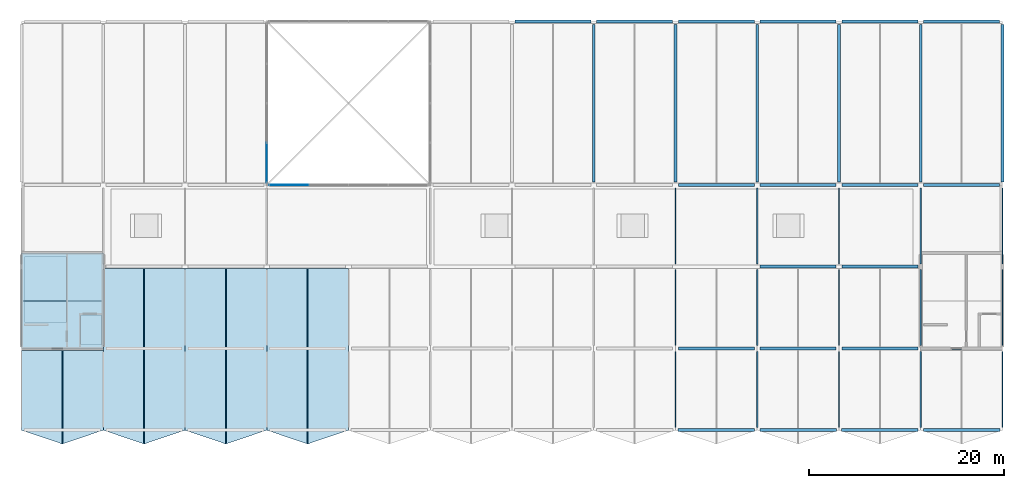
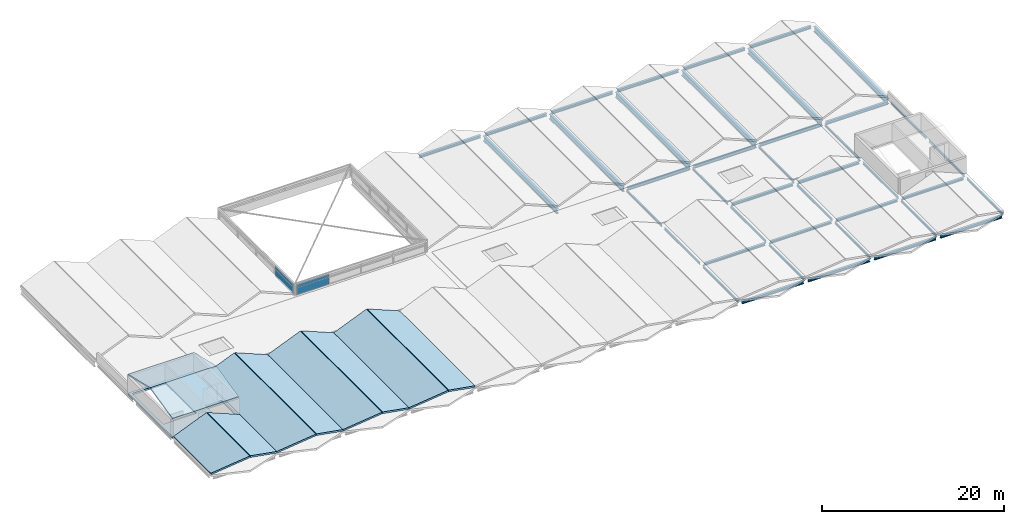
# One storey, part 9 of 14: 41 beams, 11 slabs, 4 plates, 2 elements without a shape of their own.
"""IFC4 building model written with IfcOpenShell, lengths in metres."""

from ifc_helpers import new_model, si_unit, direction, frame, frame_2d, origin, origin_2d, place, context, subcontext, project, spatial, polyline, rectangle, i_section, outline, extrude, material, layer, layer_set, material_profile, profile_set, type_object, element, aggregate, save


model = new_model("IFC4")

# Units and contexts
model_context = context("Model", 3, precision=1e-05, world=origin(), true_north=direction((0.0, 1.0)))
body_context = subcontext(model_context, "Body", "Model", "MODEL_VIEW")
ifc_project = project(units=[si_unit("LENGTHUNIT", "METRE"), si_unit("AREAUNIT", "SQUARE_METRE"), si_unit("VOLUMEUNIT", "CUBIC_METRE"), si_unit("PLANEANGLEUNIT", "RADIAN"), si_unit("MASSUNIT", "GRAM", prefix="KILO")], contexts=[model_context])

# Site, building, storey
site_placement = place(None, origin())
site = spatial("IfcSite", under=ifc_project, at=site_placement, CompositionType="ELEMENT")
building_placement = place(site_placement, origin())
building = spatial("IfcBuilding", under=site, at=building_placement, Name="Qawsi Khor Wholesale Market", CompositionType="ELEMENT")
storey_placement = place(building_placement, frame((0.0, 0.0, 20.699951171875)))
storey = spatial("IfcBuildingStorey", under=building, at=storey_placement, Name="RF", CompositionType="ELEMENT", Elevation=20.699951171875)

# Beams
ifc_material_1 = material(Name="Steel S355", Category="steel")
ifc_material_profile_1 = material_profile(ifc_material_1, i_section(OverallWidth=0.300048828125, OverallDepth=0.360107421875, WebThickness=0.012451171875, FlangeThickness=0.0224609375, FilletRadius=0.027099609375, at=origin_2d()), Name="HEB 360")
ifc_profile_set_1 = profile_set([ifc_material_profile_1], Name="Steel S355")
beam_type_1 = type_object("IfcBeamType", Name="Heavy Edge Girder HEB 360", PredefinedType="BEAM", material=ifc_profile_set_1)
for number, where, z_axis, x_axis, name in (
    (1, (75.89990234375, 42.0, -0.419921875), (1.0, 0.0, 0.0), (0.0, 1.0, 0.0), "BM-X-RF-09_+05"),
    (2, (84.300048828125, 42.0, -0.419921875), (1.0, 0.0, 0.0), (0.0, 1.0, 0.0), "BM-X-RF-10_+05"),
):
    element("IfcBeam", number, at=place(storey_placement, frame(where, z_axis=z_axis, x_axis=x_axis)), inside=storey, type_object=beam_type_1, Name=name, PredefinedType="BEAM", context=body_context, shape_type="SweptSolid", body=[
        extrude(i_section(OverallWidth=0.300048828125, OverallDepth=0.360107421875, WebThickness=0.012451171875, FlangeThickness=0.0224609375, FilletRadius=0.027099609375, at=origin_2d()), origin(), (0.0, 0.0, 1.0), 7.800048828125),
    ])
beam_1_placement = place(storey_placement, frame((92.675048828125, 0.0, -0.419921875), z_axis=(1.0, 0.0, 0.0), x_axis=(0.0, 1.0, 0.0)))
element("IfcBeam", 3, at=beam_1_placement, inside=storey, type_object=beam_type_1, Name="BM-X-RF-11_+00", PredefinedType="BEAM", context=body_context, shape_type="SweptSolid", body=[
    extrude(i_section(OverallWidth=0.300048828125, OverallDepth=0.360107421875, WebThickness=0.012451171875, FlangeThickness=0.0224609375, FilletRadius=0.027099609375, at=origin_2d()), origin(), (0.0, 0.0, 1.0), 7.849853515625),
])
beam_2_placement = place(storey_placement, frame((92.699951171875, 42.0, -0.419921875), z_axis=(1.0, 0.0, 0.0), x_axis=(0.0, 1.0, 0.0)))
element("IfcBeam", 4, at=beam_2_placement, inside=storey, type_object=beam_type_1, Name="BM-X-RF-11_+05", PredefinedType="BEAM", context=body_context, shape_type="SweptSolid", body=[
    extrude(i_section(OverallWidth=0.300048828125, OverallDepth=0.360107421875, WebThickness=0.012451171875, FlangeThickness=0.0224609375, FilletRadius=0.027099609375, at=origin_2d()), origin(), (0.0, 0.0, 1.0), 7.800048828125),
])
beam_3_placement = place(storey_placement, frame((101.074951171875, 0.0, -0.419921875), z_axis=(1.0, 0.0, 0.0), x_axis=(0.0, 1.0, 0.0)))
element("IfcBeam", 5, at=beam_3_placement, inside=storey, type_object=beam_type_1, Name="BM-X-RF-12_+00", PredefinedType="BEAM", context=body_context, shape_type="SweptSolid", body=[
    extrude(i_section(OverallWidth=0.300048828125, OverallDepth=0.360107421875, WebThickness=0.012451171875, FlangeThickness=0.0224609375, FilletRadius=0.027099609375, at=origin_2d()), origin(), (0.0, 0.0, 1.0), 7.85009765625),
])
beam_4_placement = place(storey_placement, frame((101.10009765625, 42.0, -0.419921875), z_axis=(1.0, 0.0, 0.0), x_axis=(0.0, 1.0, 0.0)))
element("IfcBeam", 6, at=beam_4_placement, inside=storey, type_object=beam_type_1, Name="BM-X-RF-12_+05", PredefinedType="BEAM", context=body_context, shape_type="SweptSolid", body=[
    extrude(i_section(OverallWidth=0.300048828125, OverallDepth=0.360107421875, WebThickness=0.012451171875, FlangeThickness=0.0224609375, FilletRadius=0.027099609375, at=origin_2d()), origin(), (0.0, 0.0, 1.0), 7.7998046875),
])
beam_5_placement = place(storey_placement, frame((109.47509765625, 0.0, -0.419921875), z_axis=(1.0, 0.0, 0.0), x_axis=(0.0, 1.0, 0.0)))
element("IfcBeam", 7, at=beam_5_placement, inside=storey, type_object=beam_type_1, Name="BM-X-RF-13_+00", PredefinedType="BEAM", context=body_context, shape_type="SweptSolid", body=[
    extrude(i_section(OverallWidth=0.300048828125, OverallDepth=0.360107421875, WebThickness=0.012451171875, FlangeThickness=0.0224609375, FilletRadius=0.027099609375, at=origin_2d()), origin(), (0.0, 0.0, 1.0), 7.849853515625),
])
beam_6_placement = place(storey_placement, frame((109.5, 42.0, -0.419921875), z_axis=(1.0, 0.0, 0.0), x_axis=(0.0, 1.0, 0.0)))
element("IfcBeam", 8, at=beam_6_placement, inside=storey, type_object=beam_type_1, Name="BM-X-RF-13_+05", PredefinedType="BEAM", context=body_context, shape_type="SweptSolid", body=[
    extrude(i_section(OverallWidth=0.300048828125, OverallDepth=0.360107421875, WebThickness=0.012451171875, FlangeThickness=0.0224609375, FilletRadius=0.027099609375, at=origin_2d()), origin(), (0.0, 0.0, 1.0), 7.800048828125),
])
beam_7_placement = place(storey_placement, frame((117.875, 0.0, -0.419921875), z_axis=(1.0, 0.0, 0.0), x_axis=(0.0, 1.0, 0.0)))
element("IfcBeam", 9, at=beam_7_placement, inside=storey, type_object=beam_type_1, Name="BM-X-RF-14_+00", PredefinedType="BEAM", context=body_context, shape_type="SweptSolid", body=[
    extrude(i_section(OverallWidth=0.300048828125, OverallDepth=0.360107421875, WebThickness=0.012451171875, FlangeThickness=0.0224609375, FilletRadius=0.027099609375, at=origin_2d()), origin(), (0.0, 0.0, 1.0), 7.85009765625),
])
beam_8_placement = place(storey_placement, frame((117.89990234375, 42.0, -0.419921875), z_axis=(1.0, 0.0, 0.0), x_axis=(0.0, 1.0, 0.0)))
element("IfcBeam", 10, at=beam_8_placement, inside=storey, type_object=beam_type_1, Name="BM-X-RF-14_+05", PredefinedType="BEAM", context=body_context, shape_type="SweptSolid", body=[
    extrude(i_section(OverallWidth=0.300048828125, OverallDepth=0.360107421875, WebThickness=0.012451171875, FlangeThickness=0.0224609375, FilletRadius=0.027099609375, at=origin_2d()), origin(), (0.0, 0.0, 1.0), 7.800048828125),
])
ifc_material_profile_2 = material_profile(ifc_material_1, i_section(OverallWidth=0.300048828125, OverallDepth=0.31005859375, WebThickness=0.009033203125, FlangeThickness=0.015380859375, FilletRadius=0.027099609375, at=origin_2d()), Name="HEA 320")
ifc_profile_set_2 = profile_set([ifc_material_profile_2], Name="Steel S355")
beam_type_2 = type_object("IfcBeamType", Name="Primary Girder HEA 320", PredefinedType="BEAM", material=ifc_profile_set_2)
beam_9_placement = place(storey_placement, frame((92.699951171875, 8.39990234375, -0.39501953125), z_axis=(1.0, 0.0, 0.0), x_axis=(0.0, 1.0, 0.0)))
element("IfcBeam", 11, at=beam_9_placement, inside=storey, type_object=beam_type_2, Name="BM-X-RF-11_+01", PredefinedType="BEAM", context=body_context, shape_type="SweptSolid", body=[
    extrude(i_section(OverallWidth=0.300048828125, OverallDepth=0.31005859375, WebThickness=0.009033203125, FlangeThickness=0.015380859375, FilletRadius=0.027099609375, at=origin_2d()), origin(), (0.0, 0.0, 1.0), 7.800048828125),
])
beam_10_placement = place(storey_placement, frame((101.10009765625, 8.39990234375, -0.39501953125), z_axis=(1.0, 0.0, 0.0), x_axis=(0.0, 1.0, 0.0)))
element("IfcBeam", 12, at=beam_10_placement, inside=storey, type_object=beam_type_2, Name="BM-X-RF-12_+01", PredefinedType="BEAM", context=body_context, shape_type="SweptSolid", body=[
    extrude(i_section(OverallWidth=0.300048828125, OverallDepth=0.31005859375, WebThickness=0.009033203125, FlangeThickness=0.015380859375, FilletRadius=0.027099609375, at=origin_2d()), origin(), (0.0, 0.0, 1.0), 7.7998046875),
])
for number, where, z_axis, x_axis, name in (
    (13, (109.5, 8.39990234375, -0.39501953125), (1.0, 0.0, 0.0), (0.0, 1.0, 0.0), "BM-X-RF-13_+01"),
    (14, (117.89990234375, 8.39990234375, -0.39501953125), (1.0, 0.0, 0.0), (0.0, 1.0, 0.0), "BM-X-RF-14_+01"),
):
    element("IfcBeam", number, at=place(storey_placement, frame(where, z_axis=z_axis, x_axis=x_axis)), inside=storey, type_object=beam_type_2, Name=name, PredefinedType="BEAM", context=body_context, shape_type="SweptSolid", body=[
        extrude(i_section(OverallWidth=0.300048828125, OverallDepth=0.31005859375, WebThickness=0.009033203125, FlangeThickness=0.015380859375, FilletRadius=0.027099609375, at=origin_2d()), origin(), (0.0, 0.0, 1.0), 7.800048828125),
    ])
ifc_material_profile_3 = material_profile(ifc_material_1, i_section(OverallWidth=0.300048828125, OverallDepth=0.330078125, WebThickness=0.009521484375, FlangeThickness=0.0166015625, FilletRadius=0.027099609375, at=origin_2d()), Name="HEA 340")
ifc_profile_set_3 = profile_set([ifc_material_profile_3], Name="Steel S355")
beam_type_3 = type_object("IfcBeamType", Name="Primary Girder HEA 340", PredefinedType="BEAM", material=ifc_profile_set_3)
beam_11_placement = place(storey_placement, frame((101.10009765625, 16.800048828125, -0.405029296875), z_axis=(1.0, 0.0, 0.0), x_axis=(0.0, 1.0, 0.0)))
element("IfcBeam", 15, at=beam_11_placement, inside=storey, type_object=beam_type_3, Name="BM-X-RF-12_+02", PredefinedType="BEAM", context=body_context, shape_type="SweptSolid", body=[
    extrude(i_section(OverallWidth=0.300048828125, OverallDepth=0.330078125, WebThickness=0.009521484375, FlangeThickness=0.0166015625, FilletRadius=0.027099609375, at=origin_2d()), origin(), (0.0, 0.0, 1.0), 7.7998046875),
])
beam_12_placement = place(storey_placement, frame((109.5, 16.800048828125, -0.405029296875), z_axis=(1.0, 0.0, 0.0), x_axis=(0.0, 1.0, 0.0)))
element("IfcBeam", 16, at=beam_12_placement, inside=storey, type_object=beam_type_3, Name="BM-X-RF-13_+02", PredefinedType="BEAM", context=body_context, shape_type="SweptSolid", body=[
    extrude(i_section(OverallWidth=0.300048828125, OverallDepth=0.330078125, WebThickness=0.009521484375, FlangeThickness=0.0166015625, FilletRadius=0.027099609375, at=origin_2d()), origin(), (0.0, 0.0, 1.0), 7.800048828125),
])
ifc_material_profile_4 = material_profile(ifc_material_1, i_section(OverallWidth=0.300048828125, OverallDepth=0.389892578125, WebThickness=0.010986328125, FlangeThickness=0.01904296875, FilletRadius=0.027099609375, at=origin_2d()), Name="HEA 400")
ifc_profile_set_4 = profile_set([ifc_material_profile_4], Name="Steel S355")
beam_type_4 = type_object("IfcBeamType", Name="Primary Girder HEA 400", PredefinedType="BEAM", material=ifc_profile_set_4)
beam_13_placement = place(storey_placement, frame((92.699951171875, 25.199951171875, -0.43505859375), z_axis=(1.0, 0.0, 0.0), x_axis=(0.0, 1.0, 0.0)))
element("IfcBeam", 17, at=beam_13_placement, inside=storey, type_object=beam_type_4, Name="BM-X-RF-11_+03", PredefinedType="BEAM", context=body_context, shape_type="SweptSolid", body=[
    extrude(i_section(OverallWidth=0.300048828125, OverallDepth=0.389892578125, WebThickness=0.010986328125, FlangeThickness=0.01904296875, FilletRadius=0.027099609375, at=origin_2d()), origin(), (0.0, 0.0, 1.0), 7.800048828125),
])
beam_14_placement = place(storey_placement, frame((101.10009765625, 25.199951171875, -0.43505859375), z_axis=(1.0, 0.0, 0.0), x_axis=(0.0, 1.0, 0.0)))
element("IfcBeam", 18, at=beam_14_placement, inside=storey, type_object=beam_type_4, Name="BM-X-RF-12_+03", PredefinedType="BEAM", context=body_context, shape_type="SweptSolid", body=[
    extrude(i_section(OverallWidth=0.300048828125, OverallDepth=0.389892578125, WebThickness=0.010986328125, FlangeThickness=0.01904296875, FilletRadius=0.027099609375, at=origin_2d()), origin(), (0.0, 0.0, 1.0), 7.7998046875),
])
for number, where, z_axis, x_axis, name in (
    (19, (109.5, 25.199951171875, -0.43505859375), (1.0, 0.0, 0.0), (0.0, 1.0, 0.0), "BM-X-RF-13_+03"),
    (20, (117.89990234375, 25.199951171875, -0.43505859375), (1.0, 0.0, 0.0), (0.0, 1.0, 0.0), "BM-X-RF-14_+03"),
):
    element("IfcBeam", number, at=place(storey_placement, frame(where, z_axis=z_axis, x_axis=x_axis)), inside=storey, type_object=beam_type_4, Name=name, PredefinedType="BEAM", context=body_context, shape_type="SweptSolid", body=[
        extrude(i_section(OverallWidth=0.300048828125, OverallDepth=0.389892578125, WebThickness=0.010986328125, FlangeThickness=0.01904296875, FilletRadius=0.027099609375, at=origin_2d()), origin(), (0.0, 0.0, 1.0), 7.800048828125),
    ])
ifc_material_profile_5 = material_profile(ifc_material_1, i_section(OverallWidth=0.300048828125, OverallDepth=0.68994140625, WebThickness=0.014404296875, FlangeThickness=0.027099609375, FilletRadius=0.027099609375, at=origin_2d()), Name="HEA 700")
ifc_profile_set_5 = profile_set([ifc_material_profile_5], Name="Steel S355")
beam_type_5 = type_object("IfcBeamType", Name="Primary Girder HEA 700", PredefinedType="BEAM", material=ifc_profile_set_5)
for number, where, z_axis, x_axis, name in (
    (21, (84.0, 25.5, -0.5849609375), (0.0, 1.0, 0.0), (-1.0, 0.0, 0.0), "BM-YL-RF-10_+03"),
    (22, (92.39990234375, 25.5, -0.5849609375), (0.0, 1.0, 0.0), (-1.0, 0.0, 0.0), "BM-YL-RF-11_+03"),
    (23, (100.800048828125, 25.5, -0.5849609375), (0.0, 1.0, 0.0), (-1.0, 0.0, 0.0), "BM-YL-RF-12_+03"),
    (24, (109.199951171875, 25.5, -0.5849609375), (0.0, 1.0, 0.0), (-1.0, 0.0, 0.0), "BM-YL-RF-13_+03"),
    (25, (117.60009765625, 25.5, -0.5849609375), (0.0, 1.0, 0.0), (-1.0, 0.0, 0.0), "BM-YL-RF-14_+03"),
    (26, (126.0, 25.5, -0.5849609375), (0.0, 1.0, 0.0), (-1.0, 0.0, 0.0), "BM-YL-RF-15_+03"),
):
    element("IfcBeam", number, at=place(storey_placement, frame(where, z_axis=z_axis, x_axis=x_axis)), inside=storey, type_object=beam_type_5, Name=name, PredefinedType="BEAM", context=body_context, shape_type="SweptSolid", body=[
        extrude(i_section(OverallWidth=0.300048828125, OverallDepth=0.68994140625, WebThickness=0.014404296875, FlangeThickness=0.027099609375, FilletRadius=0.027099609375, at=origin_2d()), origin(), (0.0, 0.0, 1.0), 16.199951171875),
    ])
ifc_material_profile_6 = material_profile(ifc_material_1, i_section(OverallWidth=0.14990234375, OverallDepth=0.300048828125, WebThickness=0.007080078125, FlangeThickness=0.0107421875, FilletRadius=0.014892578125, at=origin_2d()), Name="IPE 300")
ifc_profile_set_6 = profile_set([ifc_material_profile_6], Name="Steel S355")
beam_type_6 = type_object("IfcBeamType", Name="Roof Rafter IPE 300", PredefinedType="BEAM", material=ifc_profile_set_6)
beam_15_placement = place(storey_placement, frame((92.39990234375, 0.27490234375, -0.389892578125), z_axis=(0.0, 1.0, 0.0), x_axis=(-1.0, 0.0, 0.0)))
element("IfcBeam", 27, at=beam_15_placement, inside=storey, type_object=beam_type_6, Name="BM-Y-RF-11_+00", PredefinedType="BEAM", context=body_context, shape_type="SweptSolid", body=[
    extrude(i_section(OverallWidth=0.14990234375, OverallDepth=0.300048828125, WebThickness=0.007080078125, FlangeThickness=0.0107421875, FilletRadius=0.014892578125, at=origin_2d()), origin(), (0.0, 0.0, 1.0), 7.8251953125),
])
beam_16_placement = place(storey_placement, frame((92.39990234375, 8.699951171875, -0.389892578125), z_axis=(0.0, 1.0, 0.0), x_axis=(-1.0, 0.0, 0.0)))
element("IfcBeam", 28, at=beam_16_placement, inside=storey, type_object=beam_type_6, Name="BM-Y-RF-11_+01", PredefinedType="BEAM", context=body_context, shape_type="SweptSolid", body=[
    extrude(i_section(OverallWidth=0.14990234375, OverallDepth=0.300048828125, WebThickness=0.007080078125, FlangeThickness=0.0107421875, FilletRadius=0.014892578125, at=origin_2d()), origin(), (0.0, 0.0, 1.0), 7.800048828125),
])
beam_17_placement = place(storey_placement, frame((92.39990234375, 17.10009765625, -0.389892578125), z_axis=(0.0, 1.0, 0.0), x_axis=(-1.0, 0.0, 0.0)))
element("IfcBeam", 29, at=beam_17_placement, inside=storey, type_object=beam_type_6, Name="BM-Y-RF-11_+02", PredefinedType="BEAM", context=body_context, shape_type="SweptSolid", body=[
    extrude(i_section(OverallWidth=0.14990234375, OverallDepth=0.300048828125, WebThickness=0.007080078125, FlangeThickness=0.0107421875, FilletRadius=0.014892578125, at=origin_2d()), origin(), (0.0, 0.0, 1.0), 7.7998046875),
])
beam_18_placement = place(storey_placement, frame((100.800048828125, 0.27490234375, -0.389892578125), z_axis=(0.0, 1.0, 0.0), x_axis=(-1.0, 0.0, 0.0)))
element("IfcBeam", 30, at=beam_18_placement, inside=storey, type_object=beam_type_6, Name="BM-Y-RF-12_+00", PredefinedType="BEAM", context=body_context, shape_type="SweptSolid", body=[
    extrude(i_section(OverallWidth=0.14990234375, OverallDepth=0.300048828125, WebThickness=0.007080078125, FlangeThickness=0.0107421875, FilletRadius=0.014892578125, at=origin_2d()), origin(), (0.0, 0.0, 1.0), 7.8251953125),
])
beam_19_placement = place(storey_placement, frame((100.800048828125, 8.699951171875, -0.389892578125), z_axis=(0.0, 1.0, 0.0), x_axis=(-1.0, 0.0, 0.0)))
element("IfcBeam", 31, at=beam_19_placement, inside=storey, type_object=beam_type_6, Name="BM-Y-RF-12_+01", PredefinedType="BEAM", context=body_context, shape_type="SweptSolid", body=[
    extrude(i_section(OverallWidth=0.14990234375, OverallDepth=0.300048828125, WebThickness=0.007080078125, FlangeThickness=0.0107421875, FilletRadius=0.014892578125, at=origin_2d()), origin(), (0.0, 0.0, 1.0), 7.800048828125),
])
beam_20_placement = place(storey_placement, frame((100.800048828125, 17.10009765625, -0.389892578125), z_axis=(0.0, 1.0, 0.0), x_axis=(-1.0, 0.0, 0.0)))
element("IfcBeam", 32, at=beam_20_placement, inside=storey, type_object=beam_type_6, Name="BM-Y-RF-12_+02", PredefinedType="BEAM", context=body_context, shape_type="SweptSolid", body=[
    extrude(i_section(OverallWidth=0.14990234375, OverallDepth=0.300048828125, WebThickness=0.007080078125, FlangeThickness=0.0107421875, FilletRadius=0.014892578125, at=origin_2d()), origin(), (0.0, 0.0, 1.0), 7.7998046875),
])
beam_21_placement = place(storey_placement, frame((109.199951171875, 0.27490234375, -0.389892578125), z_axis=(0.0, 1.0, 0.0), x_axis=(-1.0, 0.0, 0.0)))
element("IfcBeam", 33, at=beam_21_placement, inside=storey, type_object=beam_type_6, Name="BM-Y-RF-13_+00", PredefinedType="BEAM", context=body_context, shape_type="SweptSolid", body=[
    extrude(i_section(OverallWidth=0.14990234375, OverallDepth=0.300048828125, WebThickness=0.007080078125, FlangeThickness=0.0107421875, FilletRadius=0.014892578125, at=origin_2d()), origin(), (0.0, 0.0, 1.0), 7.8251953125),
])
beam_22_placement = place(storey_placement, frame((109.199951171875, 8.699951171875, -0.389892578125), z_axis=(0.0, 1.0, 0.0), x_axis=(-1.0, 0.0, 0.0)))
element("IfcBeam", 34, at=beam_22_placement, inside=storey, type_object=beam_type_6, Name="BM-Y-RF-13_+01", PredefinedType="BEAM", context=body_context, shape_type="SweptSolid", body=[
    extrude(i_section(OverallWidth=0.14990234375, OverallDepth=0.300048828125, WebThickness=0.007080078125, FlangeThickness=0.0107421875, FilletRadius=0.014892578125, at=origin_2d()), origin(), (0.0, 0.0, 1.0), 7.800048828125),
])
beam_23_placement = place(storey_placement, frame((109.199951171875, 17.10009765625, -0.389892578125), z_axis=(0.0, 1.0, 0.0), x_axis=(-1.0, 0.0, 0.0)))
element("IfcBeam", 35, at=beam_23_placement, inside=storey, type_object=beam_type_6, Name="BM-Y-RF-13_+02", PredefinedType="BEAM", context=body_context, shape_type="SweptSolid", body=[
    extrude(i_section(OverallWidth=0.14990234375, OverallDepth=0.300048828125, WebThickness=0.007080078125, FlangeThickness=0.0107421875, FilletRadius=0.014892578125, at=origin_2d()), origin(), (0.0, 0.0, 1.0), 7.7998046875),
])
beam_24_placement = place(storey_placement, frame((117.60009765625, 0.27490234375, -0.389892578125), z_axis=(0.0, 1.0, 0.0), x_axis=(-1.0, 0.0, 0.0)))
element("IfcBeam", 36, at=beam_24_placement, inside=storey, type_object=beam_type_6, Name="BM-Y-RF-14_+00", PredefinedType="BEAM", context=body_context, shape_type="SweptSolid", body=[
    extrude(i_section(OverallWidth=0.14990234375, OverallDepth=0.300048828125, WebThickness=0.007080078125, FlangeThickness=0.0107421875, FilletRadius=0.014892578125, at=origin_2d()), origin(), (0.0, 0.0, 1.0), 7.8251953125),
])
beam_25_placement = place(storey_placement, frame((117.60009765625, 8.699951171875, -0.389892578125), z_axis=(0.0, 1.0, 0.0), x_axis=(-1.0, 0.0, 0.0)))
element("IfcBeam", 37, at=beam_25_placement, inside=storey, type_object=beam_type_6, Name="BM-Y-RF-14_+01", PredefinedType="BEAM", context=body_context, shape_type="SweptSolid", body=[
    extrude(i_section(OverallWidth=0.14990234375, OverallDepth=0.300048828125, WebThickness=0.007080078125, FlangeThickness=0.0107421875, FilletRadius=0.014892578125, at=origin_2d()), origin(), (0.0, 0.0, 1.0), 7.800048828125),
])
beam_26_placement = place(storey_placement, frame((117.60009765625, 17.10009765625, -0.389892578125), z_axis=(0.0, 1.0, 0.0), x_axis=(-1.0, 0.0, 0.0)))
element("IfcBeam", 38, at=beam_26_placement, inside=storey, type_object=beam_type_6, Name="BM-Y-RF-14_+02", PredefinedType="BEAM", context=body_context, shape_type="SweptSolid", body=[
    extrude(i_section(OverallWidth=0.14990234375, OverallDepth=0.300048828125, WebThickness=0.007080078125, FlangeThickness=0.0107421875, FilletRadius=0.014892578125, at=origin_2d()), origin(), (0.0, 0.0, 1.0), 7.7998046875),
])
beam_27_placement = place(storey_placement, frame((126.0, 0.27490234375, -0.389892578125), z_axis=(0.0, 1.0, 0.0), x_axis=(-1.0, 0.0, 0.0)))
element("IfcBeam", 39, at=beam_27_placement, inside=storey, type_object=beam_type_6, Name="BM-Y-RF-15_+00", PredefinedType="BEAM", context=body_context, shape_type="SweptSolid", body=[
    extrude(i_section(OverallWidth=0.14990234375, OverallDepth=0.300048828125, WebThickness=0.007080078125, FlangeThickness=0.0107421875, FilletRadius=0.014892578125, at=origin_2d()), origin(), (0.0, 0.0, 1.0), 7.8251953125),
])
beam_28_placement = place(storey_placement, frame((126.0, 8.699951171875, -0.389892578125), z_axis=(0.0, 1.0, 0.0), x_axis=(-1.0, 0.0, 0.0)))
element("IfcBeam", 40, at=beam_28_placement, inside=storey, type_object=beam_type_6, Name="BM-Y-RF-15_+01", PredefinedType="BEAM", context=body_context, shape_type="SweptSolid", body=[
    extrude(i_section(OverallWidth=0.14990234375, OverallDepth=0.300048828125, WebThickness=0.007080078125, FlangeThickness=0.0107421875, FilletRadius=0.014892578125, at=origin_2d()), origin(), (0.0, 0.0, 1.0), 7.800048828125),
])
beam_29_placement = place(storey_placement, frame((126.0, 17.10009765625, -0.389892578125), z_axis=(0.0, 1.0, 0.0), x_axis=(-1.0, 0.0, 0.0)))
element("IfcBeam", 41, at=beam_29_placement, inside=storey, type_object=beam_type_6, Name="BM-Y-RF-15_+02", PredefinedType="BEAM", context=body_context, shape_type="SweptSolid", body=[
    extrude(i_section(OverallWidth=0.14990234375, OverallDepth=0.300048828125, WebThickness=0.007080078125, FlangeThickness=0.0107421875, FilletRadius=0.014892578125, at=origin_2d()), origin(), (0.0, 0.0, 1.0), 7.7998046875),
])

# Slabs
ifc_material_2 = material(Name="Concrete C40/50", Category="concrete")
ifc_layer_1 = layer(ifc_material_2, 0.22998046875, Name="Concrete C40/50")
ifc_layer_set_1 = layer_set([ifc_layer_1], Name="Concrete C40/50")
slab_type_1 = type_object("IfcSlabType", Name="Folded Concrete Canopy Slab 230 C40/50", PredefinedType="ROOF", material=ifc_layer_set_1)
slab_1_placement = place(storey_placement, frame((25.199951171875, 0.0, 0.22998046875), z_axis=(-0.382474865624, 0.0, 0.923965896105), x_axis=(0.882207731123, -0.297231278586, 0.365189110157)))
element("IfcSlab", 42, at=slab_1_placement, inside=storey, type_object=slab_type_1, Name="Upper Crown Folded Concrete Vault South 3A", PredefinedType="ROOF", context=body_context, shape_type="SweptSolid", body=[
    extrude(outline(polyline([(0.0, 0.0), (4.70980830284361, 5.551115123125783e-17), (1.8564315681543824, 9.165993057568391), (-2.4372819711606293, 7.829358582552568), (0.0, 0.0)])), origin(), (0.0, 0.0, -1.0), 0.22998046875),
])
slab_2_placement = place(storey_placement, frame((29.445068359375, -1.39990234375, 1.949951171875), z_axis=(0.382474865624, 0.0, 0.923965896105), x_axis=(0.882207731123, 0.297231278586, -0.365189110157)))
element("IfcSlab", 43, at=slab_2_placement, inside=storey, type_object=slab_type_1, Name="Upper Crown Folded Concrete Vault South 3B", PredefinedType="ROOF", context=body_context, shape_type="SweptSolid", body=[
    extrude(outline(polyline([(0.0, 0.0), (4.70980830284361, -5.551115123125783e-17), (7.14709027400424, 7.82935858255257), (2.853376734689228, 9.165993057568391), (0.0, 0.0)])), origin(), (0.0, 0.0, -1.0), 0.22998046875),
])
slab_3_placement = place(storey_placement, frame((33.60009765625, 0.0, 0.22998046875), z_axis=(-0.382494052341, 0.0, 0.923957953547), x_axis=(0.882196237658, -0.297244871708, 0.365205811159)))
element("IfcSlab", 44, at=slab_3_placement, inside=storey, type_object=slab_type_1, Name="Upper Crown Folded Concrete Vault South 4A", PredefinedType="ROOF", context=body_context, shape_type="SweptSolid", body=[
    extrude(outline(polyline([(0.0, 0.0), (4.709592921499734, 5.551115123125783e-17), (-0.6408147692515563, 17.186423058412984), (-4.934293898179026, 15.849794507293463), (0.0, 0.0)])), origin(), (0.0, 0.0, -1.0), 0.22998046875),
])
slab_4_placement = place(storey_placement, frame((37.844970703125, -1.39990234375, 1.949951171875), z_axis=(0.382474865624, 0.0, 0.923965896105), x_axis=(0.882207731123, 0.297231278586, -0.365189110157)))
element("IfcSlab", 45, at=slab_4_placement, inside=storey, type_object=slab_type_1, Name="Upper Crown Folded Concrete Vault South 4B", PredefinedType="ROOF", context=body_context, shape_type="SweptSolid", body=[
    extrude(outline(polyline([(0.0, 0.0), (4.70980830284361, -2.7755575615628914e-17), (9.643876553866201, 15.84986475309135), (5.350163014551191, 17.186499228107174), (0.0, 0.0)])), origin(), (0.0, 0.0, -1.0), 0.22998046875),
])
slab_5_placement = place(storey_placement, frame((42.0, 0.0, 0.22998046875), z_axis=(-0.382474865624, 0.0, 0.923965896105), x_axis=(0.882207731123, -0.297231278586, 0.365189110157)))
element("IfcSlab", 46, at=slab_5_placement, inside=storey, type_object=slab_type_1, Name="Upper Crown Folded Concrete Vault South 5A", PredefinedType="ROOF", context=body_context, shape_type="SweptSolid", body=[
    extrude(outline(polyline([(0.0, 0.0), (4.70980830284361, 2.7755575615628914e-17), (-0.6403547117075807, 17.186499228107177), (-4.934068251022592, 15.849864753091353), (0.0, 0.0)])), origin(), (0.0, 0.0, -1.0), 0.22998046875),
])
slab_6_placement = place(storey_placement, frame((46.2451171875, -1.39990234375, 1.949951171875), z_axis=(0.382494052341, 0.0, 0.923957953547), x_axis=(0.882196237658, 0.297244871708, -0.365205811159)))
element("IfcSlab", 47, at=slab_6_placement, inside=storey, type_object=slab_type_1, Name="Upper Crown Folded Concrete Vault South 5B", PredefinedType="ROOF", context=body_context, shape_type="SweptSolid", body=[
    extrude(outline(polyline([(0.0, 0.0), (4.709592921499734, -5.551115123125783e-17), (9.643886819678759, 15.849794507293465), (5.35040769075129, 17.186423058412984), (0.0, 0.0)])), origin(), (0.0, 0.0, -1.0), 0.22998046875),
])
slab_7_placement = place(storey_placement, frame((50.39990234375, 0.0, 0.22998046875), z_axis=(-0.382474865624, 0.0, 0.923965896105), x_axis=(0.882207731123, -0.297231278586, 0.365189110157)))
element("IfcSlab", 48, at=slab_7_placement, inside=storey, type_object=slab_type_1, Name="Upper Crown Folded Concrete Vault South 6A", PredefinedType="ROOF", context=body_context, shape_type="SweptSolid", body=[
    extrude(outline(polyline([(0.0, 0.0), (4.70980830284361, 2.7755575615628914e-17), (-0.6403547117075807, 17.186499228107177), (-4.934068251022592, 15.849864753091353), (0.0, 0.0)])), origin(), (0.0, 0.0, -1.0), 0.22998046875),
])
slab_8_placement = place(storey_placement, frame((54.64501953125, -1.39990234375, 1.949951171875), z_axis=(0.382474865624, 0.0, 0.923965896105), x_axis=(0.882207731123, 0.297231278586, -0.365189110157)))
element("IfcSlab", 49, at=slab_8_placement, inside=storey, type_object=slab_type_1, Name="Upper Crown Folded Concrete Vault South 6B", PredefinedType="ROOF", context=body_context, shape_type="SweptSolid", body=[
    extrude(outline(polyline([(0.0, 0.0), (4.70980830284361, -2.7755575615628914e-17), (9.643876553866201, 15.84986475309135), (5.350163014551191, 17.186499228107174), (0.0, 0.0)])), origin(), (0.0, 0.0, -1.0), 0.22998046875),
])
ifc_layer_2 = layer(ifc_material_2, 0.239990234375, Name="Concrete C40/50")
ifc_layer_set_2 = layer_set([ifc_layer_2], Name="Concrete C40/50")
slab_type_2 = type_object("IfcSlabType", Name="Headhouse Lobby Floor Slab 240 C40/50", PredefinedType="FLOOR", material=ifc_layer_set_2)
slab_9_placement = place(storey_placement, frame((0.0, 0.0, -0.239990234375)))
element("IfcSlab", 50, at=slab_9_placement, inside=storey, type_object=slab_type_2, Name="Headhouse lobby floor slab RF C01", PredefinedType="FLOOR", context=body_context, shape_type="SweptSolid", body=[
    extrude(outline(polyline([(25.199951171875, 18.199951171875), (33.60009765625, 18.199951171875), (33.60009765625, 8.39990234375), (25.199951171875, 8.39990234375), (25.199951171875, 18.199951171875)]), holes=[polyline([(31.320068359375, 8.800048828125), (33.39990234375, 8.800048828125), (33.39990234375, 11.800048828125), (31.320068359375, 11.800048828125), (31.320068359375, 8.800048828125)]), polyline([(25.5400390625, 11.080078125), (29.780029296875, 11.080078125), (29.780029296875, 17.860107421875), (25.5400390625, 17.860107421875), (25.5400390625, 11.080078125)])]), origin(), (0.0, 0.0, 1.0), 0.239990234375),
])
ifc_layer_3 = layer(ifc_material_2, 0.18994140625, Name="Concrete C40/50")
ifc_layer_set_3 = layer_set([ifc_layer_3], Name="Concrete C40/50")
slab_type_3 = type_object("IfcSlabType", Name="Headhouse Roof Slab 190 C40/50", PredefinedType="ROOF", material=ifc_layer_set_3)
slab_10_placement = place(storey_placement, frame((25.199951171875, 8.39990234375, 2.510009765625), z_axis=(0.0, -0.228506699467, 0.97354234027), x_axis=(1.0, 0.0, 0.0)))
element("IfcSlab", 51, at=slab_10_placement, inside=storey, type_object=slab_type_3, Name="Headhouse folded roof shell C01 South", PredefinedType="ROOF", context=body_context, shape_type="SweptSolid", body=[
    extrude(outline(polyline([(0.0, 0.0), (8.400146484375, 0.0), (8.400146484375, 5.033316253113135), (0.0, 5.033316253113135), (0.0, 0.0)])), origin(), (0.0, 0.0, -1.0), 0.18994140625),
])
slab_11_placement = place(storey_placement, frame((25.199951171875, 13.300048828125, 3.66015625), z_axis=(0.0, 0.228517490414, 0.973539807391), x_axis=(1.0, 0.0, 0.0)))
element("IfcSlab", 52, at=slab_11_placement, inside=storey, type_object=slab_type_3, Name="Headhouse folded roof shell C01 North", PredefinedType="ROOF", context=body_context, shape_type="SweptSolid", body=[
    extrude(outline(polyline([(0.0, 0.0), (8.400146484375, 0.0), (8.400146484375, 5.033078572186899), (0.0, 5.033078572186899), (0.0, 0.0)])), origin(), (0.0, 0.0, -1.0), 0.18994140625),
])

# Curtain wall, plates
ifc_material_3 = material(Name="Aluminium Anodised Bronze", Category="aluminium")
ifc_layer_4 = layer(ifc_material_3, 0.179931640625, Name="Aluminium Anodised Bronze")
ifc_layer_set_4 = layer_set([ifc_layer_4], Name="Aluminium Anodised Bronze")
curtain_wall_type = type_object("IfcCurtainWallType", Name="Atrium Full-Height Curtain Wall CW-02", PredefinedType="NOTDEFINED", material=ifc_layer_set_4)
curtain_wall_1_placement = place(storey_placement, origin())
curtain_wall_1 = element("IfcCurtainWall", 53, at=curtain_wall_1_placement, inside=storey, type_object=curtain_wall_type, Name="Curtain wall CW-CW-02-RF-046", PredefinedType="NOTDEFINED")
ifc_material_4 = material(Name="Tempered Low-E Solar Glass", Category="glass")
ifc_layer_5 = layer(ifc_material_4, 0.031982421875, Name="Tempered Low-E Solar Glass")
ifc_layer_set_5 = layer_set([ifc_layer_5], Name="Tempered Low-E Solar Glass")
plate_type = type_object("IfcPlateType", Name="Solar Double-Glazed Unit CW-02 32mm", PredefinedType="CURTAIN_PANEL", material=ifc_layer_set_5)
plate_1_placement = place(storey_placement, frame((50.64990234375, 25.199951171875, 0.005126953125), z_axis=(0.0, 0.0, 1.0), x_axis=(1.0, 0.0, 0.0)))
plate_1 = element("IfcPlate", 54, at=plate_1_placement, type_object=plate_type, Name="Curtain panel CW-CW-02-RF-046-P0_00", PredefinedType="CURTAIN_PANEL", context=body_context, shape_type="SweptSolid", body=[
    extrude(rectangle(XDim=4.0751953125, YDim=0.031982421875, at=frame_2d((2.03759765625, 0.0))), origin(), (0.0, 0.0, 1.0), 0.989990234375),
])
plate_2_placement = place(storey_placement, frame((50.64990234375, 25.199951171875, 1.005126953125), z_axis=(0.0, 0.0, 1.0), x_axis=(1.0, 0.0, 0.0)))
plate_2 = element("IfcPlate", 55, at=plate_2_placement, type_object=plate_type, Name="Curtain panel CW-CW-02-RF-046-P1_00", PredefinedType="CURTAIN_PANEL", context=body_context, shape_type="SweptSolid", body=[
    extrude(rectangle(XDim=4.0751953125, YDim=0.031982421875, at=frame_2d((2.03759765625, 0.0))), origin(), (0.0, 0.0, 1.0), 0.43994140625),
])
aggregate(curtain_wall_1, [plate_1, plate_2])

curtain_wall_2_placement = place(storey_placement, origin())
curtain_wall_2 = element("IfcCurtainWall", 56, at=curtain_wall_2_placement, inside=storey, type_object=curtain_wall_type, Name="Curtain wall CW-CW-02-RF-048", PredefinedType="NOTDEFINED")
plate_3_placement = place(storey_placement, frame((50.39990234375, 25.449951171875, 0.005126953125), z_axis=(0.0, 0.0, 1.0), x_axis=(0.0, 1.0, 0.0)))
plate_3 = element("IfcPlate", 57, at=plate_3_placement, type_object=plate_type, Name="Curtain panel CW-CW-02-RF-048-P0_00", PredefinedType="CURTAIN_PANEL", context=body_context, shape_type="SweptSolid", body=[
    extrude(rectangle(XDim=4.074951171875, YDim=0.031982421875, at=frame_2d((2.03759765625, 0.0))), origin(), (0.0, 0.0, 1.0), 0.989990234375),
])
plate_4_placement = place(storey_placement, frame((50.39990234375, 25.449951171875, 1.005126953125), z_axis=(0.0, 0.0, 1.0), x_axis=(0.0, 1.0, 0.0)))
plate_4 = element("IfcPlate", 58, at=plate_4_placement, type_object=plate_type, Name="Curtain panel CW-CW-02-RF-048-P1_00", PredefinedType="CURTAIN_PANEL", context=body_context, shape_type="SweptSolid", body=[
    extrude(rectangle(XDim=4.074951171875, YDim=0.031982421875, at=frame_2d((2.03759765625, 0.0))), origin(), (0.0, 0.0, 1.0), 0.43994140625),
])
aggregate(curtain_wall_2, [plate_3, plate_4])

save(model, "model.ifc")
